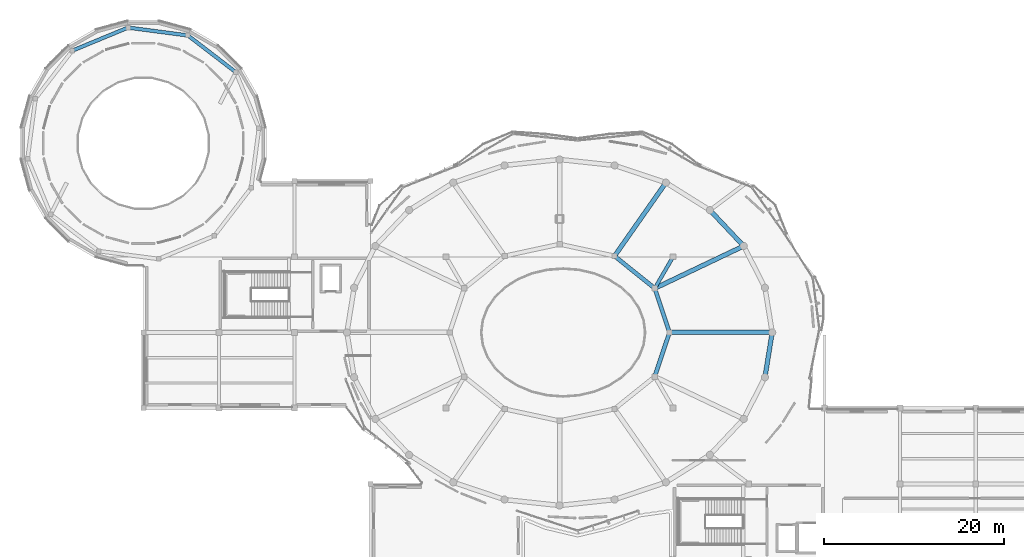
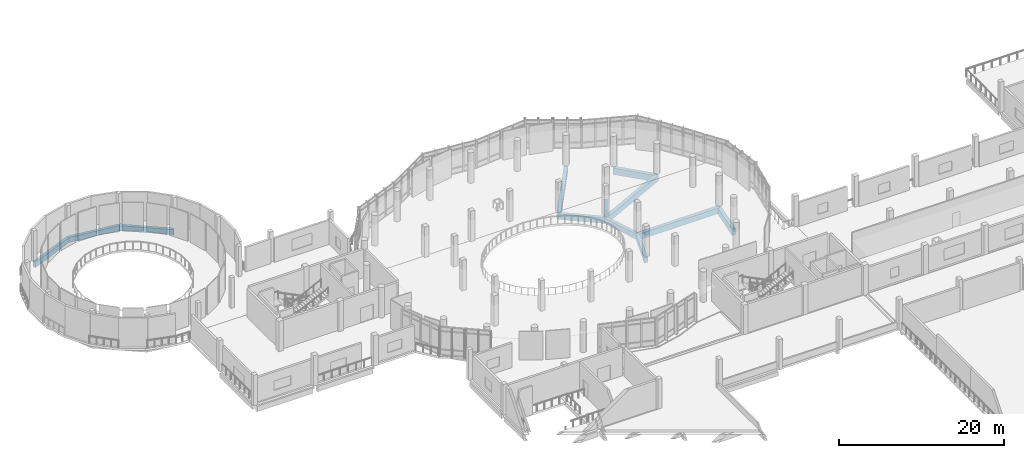
# One storey, part 14 of 46: 12 beams.
"""IFC4 building model written with IfcOpenShell, lengths in metres."""

import ifcopenshell
import ifcopenshell.guid

model = None  # the IFC model being written
_history = None  # IfcOwnerHistory: only IFC2X3 demands one
_inside = {}  # id of a spatial element -> (the spatial element, [elements in it])
_under = {}  # id of a project, library or spatial element -> (it, [spatial elements below it])
_declared = {}  # id of a project -> (the project, [libraries it declares])
_typed = {}  # id of a type object -> (the type object, [elements of that type])
_made_of = {}  # id of a material, layer set ... -> (it, [elements and type objects made of it])


def new_model(schema):
    """Start an empty IFC model of exactly this schema.

    Asked for "IFC4X3", IfcOpenShell would pick the latest addendum, in which some entities
    have other attributes; the version numbers below select the first issue.
    IFC2X3 requires an IfcOwnerHistory on every rooted entity: one is made here for all.
    """
    global model, _history
    if schema == "IFC4X3":
        model = ifcopenshell.file(schema_version=(4, 3, 0, 0))
    else:
        model = ifcopenshell.file(schema=schema)
    _inside.clear()
    _under.clear()
    _declared.clear()
    _typed.clear()
    _made_of.clear()
    _history = None
    if model.schema == "IFC2X3":
        org = make("IfcOrganization", Name="unknown")
        user = make(
            "IfcPersonAndOrganization",
            ThePerson=make("IfcPerson", FamilyName="unknown"),
            TheOrganization=org,
        )
        app = make(
            "IfcApplication",
            ApplicationDeveloper=org,
            Version="unknown",
            ApplicationFullName="unknown",
            ApplicationIdentifier="unknown",
        )
        _history = make(
            "IfcOwnerHistory",
            OwningUser=user,
            OwningApplication=app,
            ChangeAction="ADDED",
            CreationDate=0,
        )
    return model


def make(cls, **values):
    """One entity of the class cls with the attributes given. An attribute that is None is left unset."""
    return model.create_entity(
        cls, **{name: value for name, value in values.items() if value is not None}
    )


def rooted(cls, **values):
    """An entity with a GlobalId (a new one), such as an element, a storey or a relation."""
    return make(cls, GlobalId=ifcopenshell.guid.new(), OwnerHistory=_history, **values)


def si_unit(unit_type, name, prefix=None):
    """IfcSIUnit, for example si_unit("LENGTHUNIT", "METRE", prefix="MILLI")."""
    return make("IfcSIUnit", UnitType=unit_type, Prefix=prefix, Name=name)


def derived_unit(unit_type, elements):
    """IfcDerivedUnit: a product of units, each with its exponent."""
    return make(
        "IfcDerivedUnit",
        Elements=[
            make("IfcDerivedUnitElement", Unit=unit, Exponent=power)
            for unit, power in elements
        ],
        UnitType=unit_type,
    )


def assignment(units):
    """IfcUnitAssignment: the units of a project."""
    return None if units is None else make("IfcUnitAssignment", Units=units)


def point(xyz):
    """IfcCartesianPoint."""
    return None if xyz is None else make("IfcCartesianPoint", Coordinates=xyz)


def direction(xyz):
    """IfcDirection."""
    return None if xyz is None else make("IfcDirection", DirectionRatios=xyz)


def frame(location, z_axis=None, x_axis=None):
    """IfcAxis2Placement3D, a coordinate frame: its origin and axes. An axis left out is left unset."""
    return make(
        "IfcAxis2Placement3D",
        Location=point(location),
        Axis=direction(z_axis),
        RefDirection=direction(x_axis),
    )


def frame_2d(location, x_axis=None):
    """IfcAxis2Placement2D, a coordinate frame in the plane: its origin and x axis."""
    return make(
        "IfcAxis2Placement2D", Location=point(location), RefDirection=direction(x_axis)
    )


def origin():
    """The frame at (0, 0, 0) with its axes left unset."""
    return frame((0.0, 0.0, 0.0))


def origin_2d():
    """The frame at (0, 0) in the plane with its x axis left unset."""
    return frame_2d((0.0, 0.0))


def place(relative_to, where):
    """IfcLocalPlacement: puts the frame where relative to a parent placement (None: the world)."""
    return make(
        "IfcLocalPlacement", PlacementRelTo=relative_to, RelativePlacement=where
    )


def context(
    kind, dimensions, precision=None, world=None, true_north=None, identifier=None
):
    """IfcGeometricRepresentationContext, for example the 3D "Model" context."""
    return make(
        "IfcGeometricRepresentationContext",
        ContextIdentifier=identifier,
        ContextType=kind,
        CoordinateSpaceDimension=dimensions,
        Precision=precision,
        WorldCoordinateSystem=world,
        TrueNorth=true_north,
    )


def subcontext(parent, identifier, kind, view, scale=None):
    """IfcGeometricRepresentationSubContext, for example "Body" below "Model"."""
    return make(
        "IfcGeometricRepresentationSubContext",
        ContextIdentifier=identifier,
        ContextType=kind,
        ParentContext=parent,
        TargetScale=scale,
        TargetView=view,
    )


def project(units=None, contexts=None):
    """IfcProject with its units and contexts."""
    return rooted(
        "IfcProject",
        Name="project",
        RepresentationContexts=contexts,
        UnitsInContext=assignment(units),
    )


def spatial(cls, under=None, at=None, **own):
    """A site, building, storey or space (cls), placed at a placement, below another one or the project."""
    s = rooted(cls, ObjectPlacement=at, **own)
    if under is not None:
        _under.setdefault(under.id(), (under, []))[1].append(s)
    return s


def profile(cls, at=None, kind="AREA", **sizes):
    """A parametric profile (cls). Its sizes go by their IFC names, for example OverallWidth=200.0."""
    return make(cls, ProfileType=kind, Position=at, **sizes)


def rectangle(**sizes):
    """IfcRectangleProfileDef."""
    return profile("IfcRectangleProfileDef", **sizes)


def extrude(swept, where, along, depth):
    """IfcExtrudedAreaSolid: the profile swept, set in the frame where, extruded along a direction by depth."""
    return make(
        "IfcExtrudedAreaSolid",
        SweptArea=swept,
        Position=where,
        ExtrudedDirection=direction(along),
        Depth=depth,
    )


def shape(context_of_items, identifier, shape_type, items):
    """IfcShapeRepresentation: the items that make up one representation, for example the "Body"."""
    return make(
        "IfcShapeRepresentation",
        ContextOfItems=context_of_items,
        RepresentationIdentifier=identifier,
        RepresentationType=shape_type,
        Items=items,
    )


def material(Name=None, Category=None):
    """IfcMaterial."""
    return make("IfcMaterial", Name=Name, Category=Category)


def material_profile(
    of_material, cross_section, Name=None, Category=None, Priority=None
):
    """IfcMaterialProfile: a cross section and its material."""
    return make(
        "IfcMaterialProfile",
        Name=Name,
        Material=of_material,
        Profile=cross_section,
        Priority=Priority,
        Category=Category,
    )


def profile_set(profiles, Name=None, composite=None):
    """IfcMaterialProfileSet."""
    return make(
        "IfcMaterialProfileSet",
        Name=Name,
        MaterialProfiles=profiles,
        CompositeProfile=composite,
    )


def made_of(thing, what):
    """Note that an element or type object is made of a material, layer set ...; save() writes the relation."""
    if what is not None:
        _made_of.setdefault(what.id(), (what, []))[1].append(thing)
    return thing


def type_object(cls, material=None, **own):
    """A type object (cls), such as IfcWallType, which elements share."""
    return made_of(rooted(cls, **own), material)


def element(
    cls,
    number,
    at=None,
    inside=None,
    cuts=None,
    type_object=None,
    material=None,
    context=None,
    identifier="Body",
    shape_type=None,
    held_by="IfcProductDefinitionShape",
    body=None,
    shapes=None,
    **own,
):
    """One element of the class cls, such as IfcWall. Its Tag is "e" and its number.

    at: its placement. inside: the storey or other place that contains it. cuts: it is an
    opening in that element (IfcRelVoidsElement). A single representation is given by context,
    identifier, shape_type and body (its items); several are given by shapes. held_by: the class
    of the entity that holds the representations. save() writes the other relations.
    """
    e = rooted(cls, Tag="e%d" % number, ObjectPlacement=at, **own)
    if body is not None:
        shapes = [shape(context, identifier, shape_type, body)]
    if shapes is not None:
        e.Representation = make(held_by, Representations=shapes)
    if inside is not None:
        _inside.setdefault(inside.id(), (inside, []))[1].append(e)
    if cuts is not None:
        rooted(
            "IfcRelVoidsElement", RelatingBuildingElement=cuts, RelatedOpeningElement=e
        )
    if type_object is not None:
        _typed.setdefault(type_object.id(), (type_object, []))[1].append(e)
    return made_of(e, material)


def aggregate(whole, parts):
    """IfcRelAggregates: a whole, such as a stair, and the parts it consists of."""
    return rooted("IfcRelAggregates", RelatingObject=whole, RelatedObjects=parts)


def save(model, path):
    """Write the relations noted so far, then the file.

    IfcRelAggregates (storeys below a building ...), IfcRelContainedInSpatialStructure (elements
    in a storey), IfcRelDefinesByType, IfcRelAssociatesMaterial and IfcRelDeclares: one each for
    every whole, place, type object, material and project.
    """
    for whole, parts in _under.values():
        aggregate(whole, parts)
    for where, things in _inside.values():
        rooted(
            "IfcRelContainedInSpatialStructure",
            RelatedElements=things,
            RelatingStructure=where,
        )
    for kind, things in _typed.values():
        rooted("IfcRelDefinesByType", RelatedObjects=things, RelatingType=kind)
    for what, things in _made_of.values():
        rooted("IfcRelAssociatesMaterial", RelatedObjects=things, RelatingMaterial=what)
    for by, libraries in _declared.values():
        rooted("IfcRelDeclares", RelatingContext=by, RelatedDefinitions=libraries)
    model.write(path)


model = new_model("IFC4")

# Units and contexts
model_context = context("Model", 3, precision=1e-05, world=origin(), true_north=direction((0.0, 1.0)))
body_context = subcontext(model_context, "Body", "Model", "MODEL_VIEW")
ifc_project = project(units=[si_unit("LENGTHUNIT", "METRE"), si_unit("AREAUNIT", "SQUARE_METRE"), si_unit("VOLUMEUNIT", "CUBIC_METRE"), si_unit("PLANEANGLEUNIT", "RADIAN"), si_unit("MASSUNIT", "GRAM", prefix="KILO"), derived_unit("THERMALTRANSMITTANCEUNIT", [(si_unit("POWERUNIT", "WATT"), 1), (si_unit("LENGTHUNIT", "METRE"), -2), (si_unit("THERMODYNAMICTEMPERATUREUNIT", "KELVIN"), -1)])], contexts=[model_context])

# Site, building, storey
site_placement = place(None, origin())
site = spatial("IfcSite", under=ifc_project, at=site_placement, CompositionType="ELEMENT")
building_placement = place(site_placement, origin())
building = spatial("IfcBuilding", under=site, at=building_placement, Name="Elbkamm Science Centre", CompositionType="ELEMENT")
storey_placement = place(building_placement, frame((0.0, 0.0, 9.89990234375)))
storey = spatial("IfcBuildingStorey", under=building, at=storey_placement, Name="L02", CompositionType="ELEMENT", Elevation=9.89990234375)

# Beams
ifc_material = material(Name="Concrete C40/50", Category="concrete")
ifc_material_profile_1 = material_profile(ifc_material, rectangle(XDim=0.39990234375, YDim=0.64990234375, at=origin_2d()), Name="RC 400x650")
ifc_profile_set_1 = profile_set([ifc_material_profile_1], Name="Concrete C40/50")
beam_type_1 = type_object("IfcBeamType", Name="BM-RC-400x650", PredefinedType="BEAM", material=ifc_profile_set_1)
beam_1_placement = place(storey_placement, frame((75.489501953125, 75.409912109375, -0.625), z_axis=(-0.502465212806, -0.864597426506, 0.0), x_axis=(0.864597426506, -0.502465212806, 0.0)))
element("IfcBeam", 1, at=beam_1_placement, inside=storey, type_object=beam_type_1, Name="L02 Perimeter Ring Tie Girder 046", PredefinedType="BEAM", context=body_context, shape_type="SweptSolid", body=[
    extrude(rectangle(XDim=0.39990234375, YDim=0.64990234375, at=origin_2d()), origin(), (0.0, 0.0, 1.0), 3.608154296875),
])
ifc_material_profile_2 = material_profile(ifc_material, rectangle(XDim=0.39990234375, YDim=0.75, at=origin_2d()), Name="RC 400x750")
ifc_profile_set_2 = profile_set([ifc_material_profile_2], Name="Concrete C40/50")
beam_type_2 = type_object("IfcBeamType", Name="BM-RC-400x750", PredefinedType="BEAM", material=ifc_profile_set_2)
for number, where, z_axis, x_axis, name in (
    (2, (27.073974609375, 96.0830078125, -0.6748046875), (-0.793316689519, 0.608809190249, 0.0), (-0.608809190249, -0.793316689519, 0.0), "L02 Planetarium Drum Ring Spandrel 02"),
    (3, (21.756103515625, 100.1640625, -0.6748046875), (-0.991444127465, 0.13053176669, 0.0), (-0.13053176669, -0.991444127465, 0.0), "L02 Planetarium Drum Ring Spandrel 03"),
    (4, (15.110107421875, 101.0390625, -0.6748046875), (-0.923896985298, -0.382641294893, 0.0), (0.382641294893, -0.923896985298, 0.0), "L02 Planetarium Drum Ring Spandrel 04"),
):
    element("IfcBeam", number, at=place(storey_placement, frame(where, z_axis=z_axis, x_axis=x_axis)), inside=storey, type_object=beam_type_2, Name=name, PredefinedType="SPANDREL", context=body_context, shape_type="SweptSolid", body=[
        extrude(rectangle(XDim=0.39990234375, YDim=0.75, at=origin_2d()), origin(), (0.0, 0.0, 1.0), 6.703369140625),
    ])
ifc_material_profile_3 = material_profile(ifc_material, rectangle(XDim=0.449951171875, YDim=0.800048828125, at=origin_2d()), Name="RC 450x800")
ifc_profile_set_3 = profile_set([ifc_material_profile_3], Name="Concrete C40/50")
beam_type_3 = type_object("IfcBeamType", Name="BM-RC-450x800", PredefinedType="BEAM", material=ifc_profile_set_3)
beam_2_placement = place(storey_placement, frame((75.199951171875, 67.199951171875, -0.699951171875), z_axis=(-0.31634119852, 0.948645479681, 0.0), x_axis=(-0.948645479681, -0.31634119852, 0.0)))
element("IfcBeam", 5, at=beam_2_placement, inside=storey, type_object=beam_type_3, Name="L02 Atrium Ring Girder 01", PredefinedType="BEAM", context=body_context, shape_type="SweptSolid", body=[
    extrude(rectangle(XDim=0.449951171875, YDim=0.800048828125, at=origin_2d()), origin(), (0.0, 0.0, 1.0), 5.16552734375),
])
beam_3_placement = place(storey_placement, frame((73.56591796875, 72.10009765625, -0.699951171875), z_axis=(-0.779653109273, 0.626211648887, 0.0), x_axis=(-0.626211648887, -0.779653109273, 0.0)))
element("IfcBeam", 6, at=beam_3_placement, inside=storey, type_object=beam_type_3, Name="L02 Atrium Ring Girder 02", PredefinedType="BEAM", context=body_context, shape_type="SweptSolid", body=[
    extrude(rectangle(XDim=0.449951171875, YDim=0.800048828125, at=origin_2d()), origin(), (0.0, 0.0, 1.0), 5.72802734375),
])
beam_4_placement = place(storey_placement, frame((73.56591796875, 62.300048828125, -0.699951171875), z_axis=(0.316355382987, 0.948640749523, 0.0), x_axis=(-0.948640749523, 0.316355382987, 0.0)))
element("IfcBeam", 7, at=beam_4_placement, inside=storey, type_object=beam_type_3, Name="L02 Atrium Ring Girder 12", PredefinedType="BEAM", context=body_context, shape_type="SweptSolid", body=[
    extrude(rectangle(XDim=0.449951171875, YDim=0.800048828125, at=origin_2d()), origin(), (0.0, 0.0, 1.0), 5.165283203125),
])
ifc_material_profile_4 = material_profile(ifc_material, rectangle(XDim=0.5, YDim=0.85009765625, at=origin_2d()), Name="RC 500x850")
ifc_profile_set_4 = profile_set([ifc_material_profile_4], Name="Concrete C40/50")
beam_type_4 = type_object("IfcBeamType", Name="BM-RC-500x850", PredefinedType="BEAM", material=ifc_profile_set_4)
beam_5_placement = place(storey_placement, frame((75.199951171875, 67.199951171875, -0.724853515625), z_axis=(1.0, 0.0, 0.0), x_axis=(0.0, 1.0, 0.0)))
element("IfcBeam", 8, at=beam_5_placement, inside=storey, type_object=beam_type_4, Name="L02 Elliptical Radial Girder 01", PredefinedType="BEAM", context=body_context, shape_type="SweptSolid", body=[
    extrude(rectangle(XDim=0.5, YDim=0.85009765625, at=origin_2d()), origin(), (0.0, 0.0, 1.0), 11.400146484375),
])
beam_6_placement = place(storey_placement, frame((73.56591796875, 72.10009765625, -0.724853515625), z_axis=(0.902897249077, 0.429856438371, 0.0), x_axis=(-0.429856438371, 0.902897249077, 0.0)))
element("IfcBeam", 9, at=beam_6_placement, inside=storey, type_object=beam_type_4, Name="L02 Elliptical Radial Girder 02", PredefinedType="BEAM", context=body_context, shape_type="SweptSolid", body=[
    extrude(rectangle(XDim=0.5, YDim=0.85009765625, at=origin_2d()), origin(), (0.0, 0.0, 1.0), 10.933837890625),
])
beam_7_placement = place(storey_placement, frame((69.10009765625, 75.68701171875, -0.724853515625), z_axis=(0.573553022395, 0.819168438419, 0.0), x_axis=(-0.819168438419, 0.573553022395, 0.0)))
element("IfcBeam", 10, at=beam_7_placement, inside=storey, type_object=beam_type_4, Name="L02 Elliptical Radial Girder 03", PredefinedType="BEAM", context=body_context, shape_type="SweptSolid", body=[
    extrude(rectangle(XDim=0.5, YDim=0.85009765625, at=origin_2d()), origin(), (0.0, 0.0, 1.0), 9.93798828125),
])
ifc_material_profile_5 = material_profile(ifc_material, rectangle(XDim=0.5, YDim=0.949951171875, at=origin_2d()), Name="RC 500x950")
ifc_profile_set_5 = profile_set([ifc_material_profile_5], Name="Concrete C40/50")
beam_type_5 = type_object("IfcBeamType", Name="BM-RC-500x950", PredefinedType="BEAM", material=ifc_profile_set_5)
beam_8_placement = place(storey_placement, frame((83.43798828125, 76.800048828125, -0.77490234375), z_axis=(-0.686144611421, 0.727465169075, 0.0), x_axis=(-0.727465169075, -0.686144611421, 0.0)))
element("IfcBeam", 11, at=beam_8_placement, inside=storey, type_object=beam_type_5, Name="L02 Elliptical Shell Perimeter Ring Beam 03", PredefinedType="SPANDREL", context=body_context, shape_type="SweptSolid", body=[
    extrude(rectangle(XDim=0.5, YDim=0.949951171875, at=origin_2d()), origin(), (0.0, 0.0, 1.0), 5.46533203125),
])
beam_9_placement = place(storey_placement, frame((85.7958984375, 62.23095703125, -0.77490234375), z_axis=(0.15976460627, 0.987155140078, 0.0), x_axis=(-0.987155140078, 0.15976460627, 0.0)))
element("IfcBeam", 12, at=beam_9_placement, inside=storey, type_object=beam_type_5, Name="L02 Elliptical Shell Perimeter Ring Beam 24", PredefinedType="SPANDREL", context=body_context, shape_type="SweptSolid", body=[
    extrude(rectangle(XDim=0.5, YDim=0.949951171875, at=origin_2d()), origin(), (0.0, 0.0, 1.0), 5.03369140625),
])

save(model, "model.ifc")
